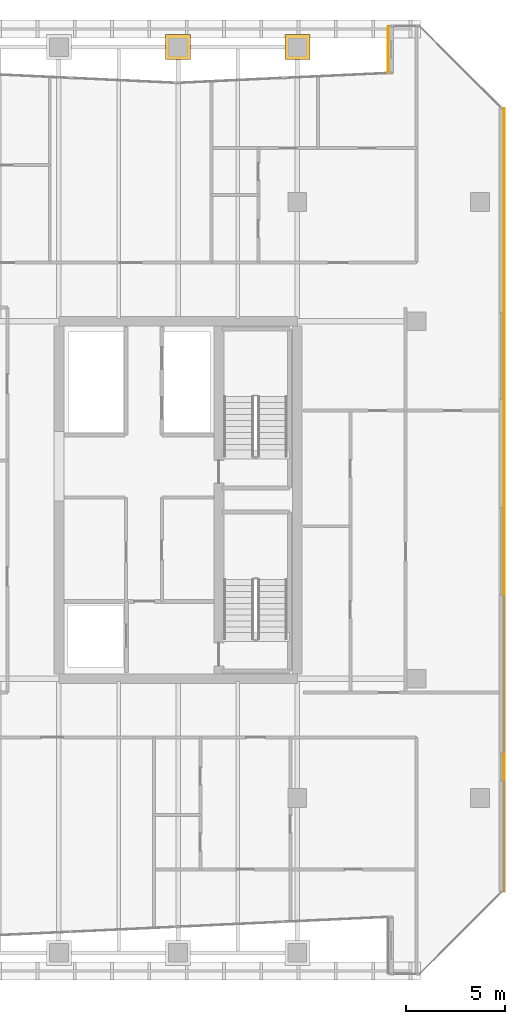
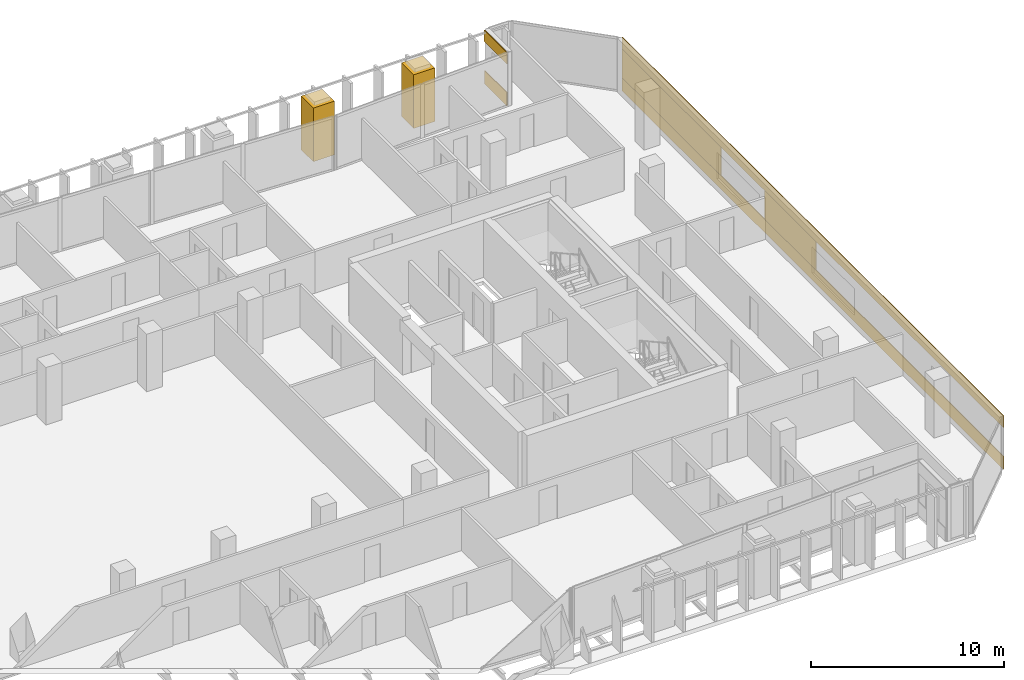
# One storey, part 39 of 39: 8 coverings.
"""IFC4 building model written with IfcOpenShell, lengths in metres."""

from ifc_helpers import new_model, si_unit, direction, frame, origin, origin_2d, place, context, subcontext, project, spatial, rectangle, extrude, material, layer, layer_set, type_object, element, save


model = new_model("IFC4")

# Units and contexts
model_context = context("Model", 3, precision=1e-05, world=origin(), true_north=direction((0.0, 1.0)))
body_context = subcontext(model_context, "Body", "Model", "MODEL_VIEW")
ifc_project = project(units=[si_unit("LENGTHUNIT", "METRE"), si_unit("AREAUNIT", "SQUARE_METRE"), si_unit("VOLUMEUNIT", "CUBIC_METRE"), si_unit("PLANEANGLEUNIT", "RADIAN"), si_unit("MASSUNIT", "GRAM", prefix="KILO")], contexts=[model_context])

# Site, building, storey
site_placement = place(None, origin())
site = spatial("IfcSite", under=ifc_project, at=site_placement, CompositionType="ELEMENT")
building_placement = place(site_placement, origin())
building = spatial("IfcBuilding", under=site, at=building_placement, Name="Tanjung Sevakor Pilgrim Tower", CompositionType="ELEMENT")
storey_placement = place(building_placement, frame((0.0, 0.0, 112.199951171875)))
storey = spatial("IfcBuildingStorey", under=building, at=storey_placement, Name="L31", CompositionType="ELEMENT", Elevation=112.199951171875)

# Coverings
ifc_material = material(Name="Reconstructed Limestone Cladding", Category="masonry")
ifc_layer = layer(ifc_material, 0.044921875)
ifc_layer_set = layer_set([ifc_layer], Name="COV-CLAD-LIMESTONE")
covering_type = type_object("IfcCoveringType", Name="COV-CLAD-LIMESTONE", PredefinedType="CLADDING", material=ifc_layer_set)
covering_1_placement = place(storey_placement, frame((100.422607421875, 33.60009765625, 0.009765625), z_axis=(0.0, 0.0, 1.0), x_axis=(0.0, 1.0, 0.0)))
element("IfcCovering", 1, at=covering_1_placement, inside=storey, type_object=covering_type, Name="L31 Warm Limestone Sill Spandrel EW-L31-MAIN-17-1", PredefinedType="CLADDING", context=body_context, shape_type="SweptSolid", body=[
    extrude(rectangle(XDim=39.41650390625, YDim=0.044921875, at=origin_2d()), origin(), (0.0, 0.0, 1.0), 0.840087890625),
])
covering_2_placement = place(storey_placement, frame((100.422607421875, 33.60009765625, 2.66015625), z_axis=(0.0, 0.0, 1.0), x_axis=(0.0, 1.0, 0.0)))
element("IfcCovering", 2, at=covering_2_placement, inside=storey, type_object=covering_type, Name="L31 Warm Limestone Cornice Spandrel EW-L31-MAIN-17", PredefinedType="CLADDING", context=body_context, shape_type="SweptSolid", body=[
    extrude(rectangle(XDim=39.456298828125, YDim=0.044921875, at=origin_2d()), origin(), (0.0, 0.0, 1.0), 0.739990234375),
])
covering_3_placement = place(storey_placement, frame((100.422607421875, 35.929931640625, 0.85009765625), z_axis=(0.0, 0.0, 1.0), x_axis=(0.0, 1.0, 0.0)))
element("IfcCovering", 3, at=covering_3_placement, inside=storey, type_object=covering_type, Name="L31 Warm Limestone Pier Panel EW-L31-MAIN-17-3", PredefinedType="CLADDING", context=body_context, shape_type="SweptSolid", body=[
    extrude(rectangle(XDim=5.340087890625, YDim=0.044921875, at=origin_2d()), origin(), (0.0, 0.0, 1.0), 1.81005859375),
])
covering_4_placement = place(storey_placement, frame((100.422607421875, 48.2041015625, 0.85009765625), z_axis=(0.0, 0.0, 1.0), x_axis=(0.0, 1.0, 0.0)))
element("IfcCovering", 4, at=covering_4_placement, inside=storey, type_object=covering_type, Name="L31 Warm Limestone Pier Panel EW-L31-MAIN-17-4", PredefinedType="CLADDING", context=body_context, shape_type="SweptSolid", body=[
    extrude(rectangle(XDim=10.208251953125, YDim=0.044921875, at=origin_2d()), origin(), (0.0, 0.0, 1.0), 1.81005859375),
])
covering_5_placement = place(storey_placement, frame((94.577392578125, 56.287841796875, 0.009765625), z_axis=(0.0, 0.0, 1.0), x_axis=(0.0, -1.0, 0.0)))
element("IfcCovering", 5, at=covering_5_placement, inside=storey, type_object=covering_type, Name="L31 Warm Limestone Sill Spandrel EW-L31-MAIN-20-1", PredefinedType="CLADDING", context=body_context, shape_type="SweptSolid", body=[
    extrude(rectangle(XDim=2.294189453125, YDim=0.044921875, at=origin_2d()), origin(), (0.0, 0.0, 1.0), 0.840087890625),
])
covering_6_placement = place(storey_placement, frame((94.577392578125, 56.287841796875, 2.66015625), z_axis=(0.0, 0.0, 1.0), x_axis=(0.0, -1.0, 0.0)))
element("IfcCovering", 6, at=covering_6_placement, inside=storey, type_object=covering_type, Name="L31 Warm Limestone Cornice Spandrel EW-L31-MAIN-20", PredefinedType="CLADDING", context=body_context, shape_type="SweptSolid", body=[
    extrude(rectangle(XDim=2.334228515625, YDim=0.044921875, at=origin_2d()), origin(), (0.0, 0.0, 1.0), 0.739990234375),
])
for number, where, z_axis, x_axis, name in (
    (7, (84.0, 56.39990234375, 0.01025390625), (0.0, 0.0, 1.0), (1.0, 0.0, 0.0), "L31 Colonnade Pier Limestone Casing 44"),
    (8, (90.0, 56.39990234375, 0.01025390625), (0.0, 0.0, 1.0), (1.0, 0.0, 0.0), "L31 Colonnade Pier Limestone Casing 46"),
):
    element("IfcCovering", number, at=place(storey_placement, frame(where, z_axis=z_axis, x_axis=x_axis)), inside=storey, type_object=covering_type, Name=name, PredefinedType="CLADDING", context=body_context, shape_type="SweptSolid", body=[
        extrude(rectangle(XDim=1.260009765625, YDim=1.260009765625, at=origin_2d()), origin(), (0.0, 0.0, 1.0), 3.389892578125),
    ])

save(model, "model.ifc")
